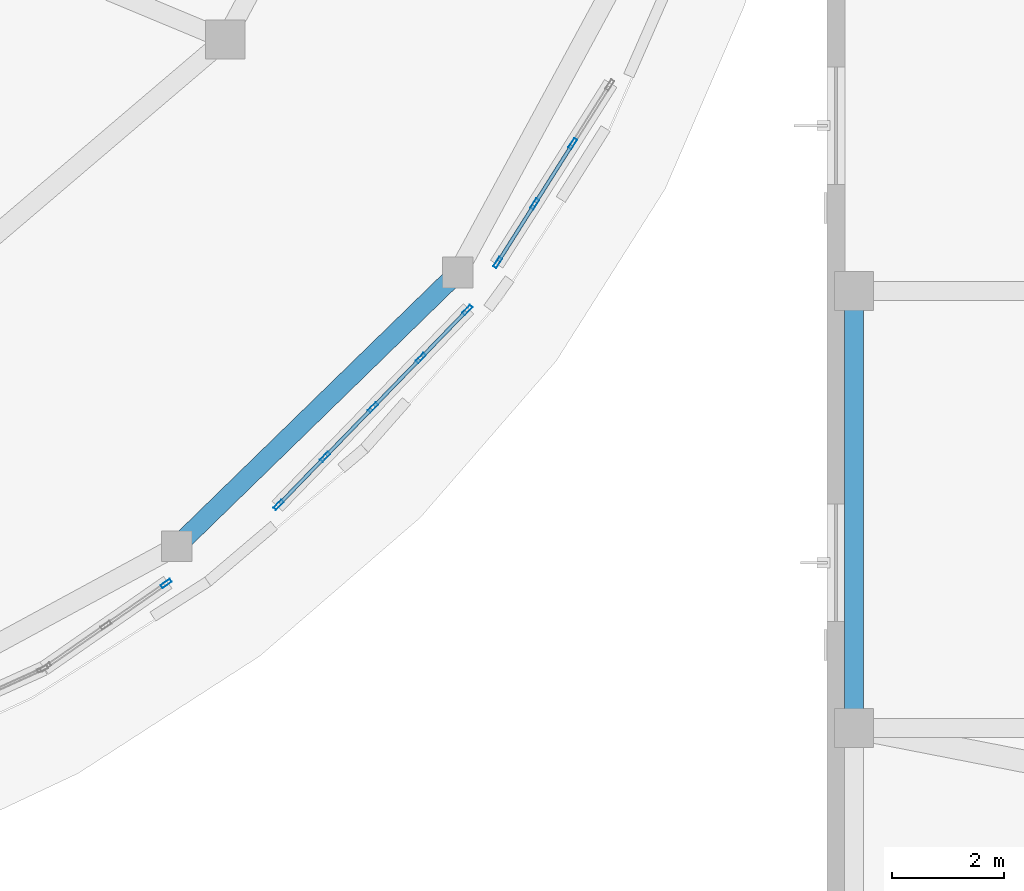
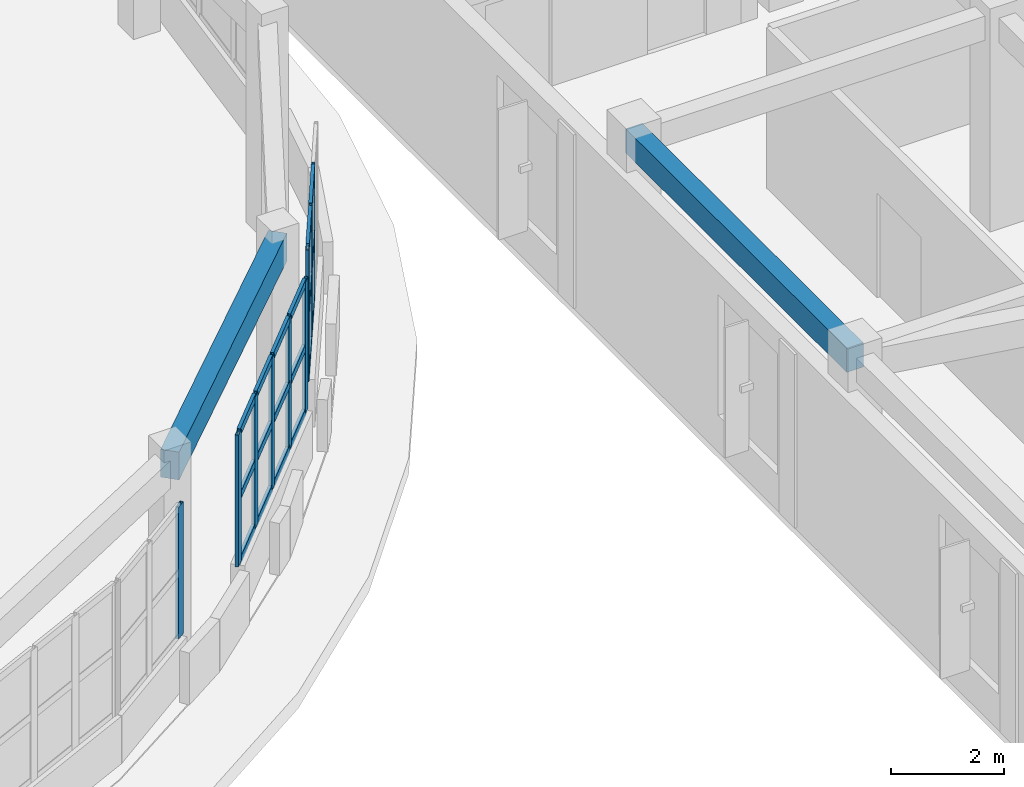
# One storey, part 48 of 98: 27 members, 2 beams, 3 elements without a shape of their own.
"""IFC4 building model written with IfcOpenShell, lengths in metres."""

import ifcopenshell
import ifcopenshell.guid

model = None  # the IFC model being written
_history = None  # IfcOwnerHistory: only IFC2X3 demands one
_inside = {}  # id of a spatial element -> (the spatial element, [elements in it])
_under = {}  # id of a project, library or spatial element -> (it, [spatial elements below it])
_declared = {}  # id of a project -> (the project, [libraries it declares])
_typed = {}  # id of a type object -> (the type object, [elements of that type])
_made_of = {}  # id of a material, layer set ... -> (it, [elements and type objects made of it])


def new_model(schema):
    """Start an empty IFC model of exactly this schema.

    Asked for "IFC4X3", IfcOpenShell would pick the latest addendum, in which some entities
    have other attributes; the version numbers below select the first issue.
    IFC2X3 requires an IfcOwnerHistory on every rooted entity: one is made here for all.
    """
    global model, _history
    if schema == "IFC4X3":
        model = ifcopenshell.file(schema_version=(4, 3, 0, 0))
    else:
        model = ifcopenshell.file(schema=schema)
    _inside.clear()
    _under.clear()
    _declared.clear()
    _typed.clear()
    _made_of.clear()
    _history = None
    if model.schema == "IFC2X3":
        org = make("IfcOrganization", Name="unknown")
        user = make(
            "IfcPersonAndOrganization",
            ThePerson=make("IfcPerson", FamilyName="unknown"),
            TheOrganization=org,
        )
        app = make(
            "IfcApplication",
            ApplicationDeveloper=org,
            Version="unknown",
            ApplicationFullName="unknown",
            ApplicationIdentifier="unknown",
        )
        _history = make(
            "IfcOwnerHistory",
            OwningUser=user,
            OwningApplication=app,
            ChangeAction="ADDED",
            CreationDate=0,
        )
    return model


def make(cls, **values):
    """One entity of the class cls with the attributes given. An attribute that is None is left unset."""
    return model.create_entity(
        cls, **{name: value for name, value in values.items() if value is not None}
    )


def rooted(cls, **values):
    """An entity with a GlobalId (a new one), such as an element, a storey or a relation."""
    return make(cls, GlobalId=ifcopenshell.guid.new(), OwnerHistory=_history, **values)


def si_unit(unit_type, name, prefix=None):
    """IfcSIUnit, for example si_unit("LENGTHUNIT", "METRE", prefix="MILLI")."""
    return make("IfcSIUnit", UnitType=unit_type, Prefix=prefix, Name=name)


def assignment(units):
    """IfcUnitAssignment: the units of a project."""
    return None if units is None else make("IfcUnitAssignment", Units=units)


def point(xyz):
    """IfcCartesianPoint."""
    return None if xyz is None else make("IfcCartesianPoint", Coordinates=xyz)


def direction(xyz):
    """IfcDirection."""
    return None if xyz is None else make("IfcDirection", DirectionRatios=xyz)


def frame(location, z_axis=None, x_axis=None):
    """IfcAxis2Placement3D, a coordinate frame: its origin and axes. An axis left out is left unset."""
    return make(
        "IfcAxis2Placement3D",
        Location=point(location),
        Axis=direction(z_axis),
        RefDirection=direction(x_axis),
    )


def frame_2d(location, x_axis=None):
    """IfcAxis2Placement2D, a coordinate frame in the plane: its origin and x axis."""
    return make(
        "IfcAxis2Placement2D", Location=point(location), RefDirection=direction(x_axis)
    )


def origin():
    """The frame at (0, 0, 0) with its axes left unset."""
    return frame((0.0, 0.0, 0.0))


def origin_2d():
    """The frame at (0, 0) in the plane with its x axis left unset."""
    return frame_2d((0.0, 0.0))


def place(relative_to, where):
    """IfcLocalPlacement: puts the frame where relative to a parent placement (None: the world)."""
    return make(
        "IfcLocalPlacement", PlacementRelTo=relative_to, RelativePlacement=where
    )


def context(
    kind, dimensions, precision=None, world=None, true_north=None, identifier=None
):
    """IfcGeometricRepresentationContext, for example the 3D "Model" context."""
    return make(
        "IfcGeometricRepresentationContext",
        ContextIdentifier=identifier,
        ContextType=kind,
        CoordinateSpaceDimension=dimensions,
        Precision=precision,
        WorldCoordinateSystem=world,
        TrueNorth=true_north,
    )


def subcontext(parent, identifier, kind, view, scale=None):
    """IfcGeometricRepresentationSubContext, for example "Body" below "Model"."""
    return make(
        "IfcGeometricRepresentationSubContext",
        ContextIdentifier=identifier,
        ContextType=kind,
        ParentContext=parent,
        TargetScale=scale,
        TargetView=view,
    )


def project(units=None, contexts=None):
    """IfcProject with its units and contexts."""
    return rooted(
        "IfcProject",
        Name="project",
        RepresentationContexts=contexts,
        UnitsInContext=assignment(units),
    )


def spatial(cls, under=None, at=None, **own):
    """A site, building, storey or space (cls), placed at a placement, below another one or the project."""
    s = rooted(cls, ObjectPlacement=at, **own)
    if under is not None:
        _under.setdefault(under.id(), (under, []))[1].append(s)
    return s


def profile(cls, at=None, kind="AREA", **sizes):
    """A parametric profile (cls). Its sizes go by their IFC names, for example OverallWidth=200.0."""
    return make(cls, ProfileType=kind, Position=at, **sizes)


def rectangle(**sizes):
    """IfcRectangleProfileDef."""
    return profile("IfcRectangleProfileDef", **sizes)


def hollow_rectangle(**sizes):
    """IfcRectangleHollowProfileDef."""
    return profile("IfcRectangleHollowProfileDef", **sizes)


def extrude(swept, where, along, depth):
    """IfcExtrudedAreaSolid: the profile swept, set in the frame where, extruded along a direction by depth."""
    return make(
        "IfcExtrudedAreaSolid",
        SweptArea=swept,
        Position=where,
        ExtrudedDirection=direction(along),
        Depth=depth,
    )


def shape(context_of_items, identifier, shape_type, items):
    """IfcShapeRepresentation: the items that make up one representation, for example the "Body"."""
    return make(
        "IfcShapeRepresentation",
        ContextOfItems=context_of_items,
        RepresentationIdentifier=identifier,
        RepresentationType=shape_type,
        Items=items,
    )


def material(Name=None, Category=None):
    """IfcMaterial."""
    return make("IfcMaterial", Name=Name, Category=Category)


def layer(
    of_material, thickness, ventilated=None, Name=None, Category=None, Priority=None
):
    """IfcMaterialLayer: one layer of a wall or slab, of a material (None: an air gap)."""
    return make(
        "IfcMaterialLayer",
        Material=of_material,
        LayerThickness=thickness,
        IsVentilated=ventilated,
        Name=Name,
        Category=Category,
        Priority=Priority,
    )


def layer_set(layers, Name=None):
    """IfcMaterialLayerSet."""
    return make("IfcMaterialLayerSet", MaterialLayers=layers, LayerSetName=Name)


def material_profile(
    of_material, cross_section, Name=None, Category=None, Priority=None
):
    """IfcMaterialProfile: a cross section and its material."""
    return make(
        "IfcMaterialProfile",
        Name=Name,
        Material=of_material,
        Profile=cross_section,
        Priority=Priority,
        Category=Category,
    )


def profile_set(profiles, Name=None, composite=None):
    """IfcMaterialProfileSet."""
    return make(
        "IfcMaterialProfileSet",
        Name=Name,
        MaterialProfiles=profiles,
        CompositeProfile=composite,
    )


def made_of(thing, what):
    """Note that an element or type object is made of a material, layer set ...; save() writes the relation."""
    if what is not None:
        _made_of.setdefault(what.id(), (what, []))[1].append(thing)
    return thing


def type_object(cls, material=None, **own):
    """A type object (cls), such as IfcWallType, which elements share."""
    return made_of(rooted(cls, **own), material)


def element(
    cls,
    number,
    at=None,
    inside=None,
    cuts=None,
    type_object=None,
    material=None,
    context=None,
    identifier="Body",
    shape_type=None,
    held_by="IfcProductDefinitionShape",
    body=None,
    shapes=None,
    **own,
):
    """One element of the class cls, such as IfcWall. Its Tag is "e" and its number.

    at: its placement. inside: the storey or other place that contains it. cuts: it is an
    opening in that element (IfcRelVoidsElement). A single representation is given by context,
    identifier, shape_type and body (its items); several are given by shapes. held_by: the class
    of the entity that holds the representations. save() writes the other relations.
    """
    e = rooted(cls, Tag="e%d" % number, ObjectPlacement=at, **own)
    if body is not None:
        shapes = [shape(context, identifier, shape_type, body)]
    if shapes is not None:
        e.Representation = make(held_by, Representations=shapes)
    if inside is not None:
        _inside.setdefault(inside.id(), (inside, []))[1].append(e)
    if cuts is not None:
        rooted(
            "IfcRelVoidsElement", RelatingBuildingElement=cuts, RelatedOpeningElement=e
        )
    if type_object is not None:
        _typed.setdefault(type_object.id(), (type_object, []))[1].append(e)
    return made_of(e, material)


def aggregate(whole, parts):
    """IfcRelAggregates: a whole, such as a stair, and the parts it consists of."""
    return rooted("IfcRelAggregates", RelatingObject=whole, RelatedObjects=parts)


def save(model, path):
    """Write the relations noted so far, then the file.

    IfcRelAggregates (storeys below a building ...), IfcRelContainedInSpatialStructure (elements
    in a storey), IfcRelDefinesByType, IfcRelAssociatesMaterial and IfcRelDeclares: one each for
    every whole, place, type object, material and project.
    """
    for whole, parts in _under.values():
        aggregate(whole, parts)
    for where, things in _inside.values():
        rooted(
            "IfcRelContainedInSpatialStructure",
            RelatedElements=things,
            RelatingStructure=where,
        )
    for kind, things in _typed.values():
        rooted("IfcRelDefinesByType", RelatedObjects=things, RelatingType=kind)
    for what, things in _made_of.values():
        rooted("IfcRelAssociatesMaterial", RelatedObjects=things, RelatingMaterial=what)
    for by, libraries in _declared.values():
        rooted("IfcRelDeclares", RelatingContext=by, RelatedDefinitions=libraries)
    model.write(path)


model = new_model("IFC4")

# Units and contexts
model_context = context("Model", 3, precision=1e-05, world=origin(), true_north=direction((0.0, 1.0)))
body_context = subcontext(model_context, "Body", "Model", "MODEL_VIEW")
ifc_project = project(units=[si_unit("LENGTHUNIT", "METRE"), si_unit("AREAUNIT", "SQUARE_METRE"), si_unit("VOLUMEUNIT", "CUBIC_METRE"), si_unit("PLANEANGLEUNIT", "RADIAN"), si_unit("MASSUNIT", "GRAM", prefix="KILO")], contexts=[model_context])

# Site, building, storey
site_placement = place(None, origin())
site = spatial("IfcSite", under=ifc_project, at=site_placement, CompositionType="ELEMENT")
building_placement = place(site_placement, origin())
building = spatial("IfcBuilding", under=site, at=building_placement, Name="Pelvatis Terrace Science Centre", CompositionType="ELEMENT")
storey_placement = place(building_placement, frame((0.0, 0.0, 5.39990234375)))
storey = spatial("IfcBuildingStorey", under=building, at=storey_placement, Name="L01", CompositionType="ELEMENT", Elevation=5.39990234375)

# Beam
ifc_material_1 = material(Name="Concrete C35/45", Category="concrete")
ifc_material_profile_1 = material_profile(ifc_material_1, rectangle(XDim=0.340087890625, YDim=0.52001953125, at=origin_2d()), Name="RC-BM 340x520")
ifc_profile_set_1 = profile_set([ifc_material_profile_1], Name="Concrete C35/45")
beam_type_1 = type_object("IfcBeamType", Name="BM-RC-340x520", PredefinedType="BEAM", material=ifc_profile_set_1)
beam_1_placement = place(storey_placement, frame((140.800048828125, 62.39990234375, 4.280029296875), z_axis=(0.0, 1.0, 0.0), x_axis=(-1.0, 0.0, 0.0)))
element("IfcBeam", 1, at=beam_1_placement, inside=storey, type_object=beam_type_1, Name="Beam BM-L01-2806", PredefinedType="BEAM", context=body_context, shape_type="SweptSolid", body=[
    extrude(rectangle(XDim=0.340087890625, YDim=0.52001953125, at=origin_2d()), origin(), (0.0, 0.0, 1.0), 7.800048828125),
])

# Curtain wall, member
ifc_material_2 = material(Name="Bronze-anodised aluminium and laminated glass", Category="aluminium")
ifc_layer = layer(ifc_material_2, 0.199951171875)
ifc_layer_set = layer_set([ifc_layer], Name="Bronze-anodised aluminium and laminated glass")
curtain_wall_type = type_object("IfcCurtainWallType", Name="CW-RIBBON-B", PredefinedType="NOTDEFINED", material=ifc_layer_set)
curtain_wall_1_placement = place(storey_placement, origin())
curtain_wall_1 = element("IfcCurtainWall", 2, at=curtain_wall_1_placement, inside=storey, type_object=curtain_wall_type, Name="Ribbon curtain wall CW-150 (L01)", PredefinedType="NOTDEFINED")
ifc_material_3 = material(Name="Bronze-anodised aluminium 6063-T6", Category="aluminium")
ifc_material_profile_2 = material_profile(ifc_material_3, hollow_rectangle(XDim=0.06494140625, YDim=0.199951171875, WallThickness=0.00439453125, at=origin_2d()), Name="ALU-MUL 65x200")
ifc_profile_set_2 = profile_set([ifc_material_profile_2], Name="Bronze-anodised aluminium 6063-T6")
member_type_1 = type_object("IfcMemberType", Name="CWM-65x200", PredefinedType="MULLION", material=ifc_profile_set_2)
member_1_placement = place(storey_placement, frame((128.52783203125, 64.98193359375, 1.02001953125), z_axis=(0.0, 0.0, 1.0), x_axis=(-0.570774124672, 0.821107117619, 0.0)))
member_1 = element("IfcMember", 3, at=member_1_placement, type_object=member_type_1, Name="CW-150 mullion 3", PredefinedType="MULLION", context=body_context, shape_type="SweptSolid", body=[
    extrude(hollow_rectangle(XDim=0.06494140625, YDim=0.199951171875, WallThickness=0.00439453125, at=origin_2d()), origin(), (0.0, 0.0, 1.0), 2.840087890625),
])
aggregate(curtain_wall_1, [member_1])

# Curtain wall, members
curtain_wall_2_placement = place(storey_placement, origin())
curtain_wall_2 = element("IfcCurtainWall", 4, at=curtain_wall_2_placement, inside=storey, type_object=curtain_wall_type, Name="Ribbon curtain wall CW-151 (L01)", PredefinedType="NOTDEFINED")
member_2_placement = place(storey_placement, frame((130.53271484375, 66.383056640625, 1.02001953125), z_axis=(0.0, 0.0, 1.0), x_axis=(-0.718179097979, 0.69585830686, 0.0)))
member_2 = element("IfcMember", 5, at=member_2_placement, type_object=member_type_1, Name="CW-151 mullion 1", PredefinedType="MULLION", context=body_context, shape_type="SweptSolid", body=[
    extrude(hollow_rectangle(XDim=0.06494140625, YDim=0.199951171875, WallThickness=0.00439453125, at=origin_2d()), origin(), (0.0, 0.0, 1.0), 2.840087890625),
])
member_3_placement = place(storey_placement, frame((131.363525390625, 67.240478515625, 1.02001953125), z_axis=(0.0, 0.0, 1.0), x_axis=(-0.718179097979, 0.69585830686, 0.0)))
member_3 = element("IfcMember", 6, at=member_3_placement, type_object=member_type_1, Name="CW-151 mullion 2", PredefinedType="MULLION", context=body_context, shape_type="SweptSolid", body=[
    extrude(hollow_rectangle(XDim=0.06494140625, YDim=0.199951171875, WallThickness=0.00439453125, at=origin_2d()), origin(), (0.0, 0.0, 1.0), 2.840087890625),
])
member_4_placement = place(storey_placement, frame((132.217041015625, 68.121337890625, 1.02001953125), z_axis=(0.0, 0.0, 1.0), x_axis=(-0.718179097979, 0.69585830686, 0.0)))
member_4 = element("IfcMember", 7, at=member_4_placement, type_object=member_type_1, Name="CW-151 mullion 3", PredefinedType="MULLION", context=body_context, shape_type="SweptSolid", body=[
    extrude(hollow_rectangle(XDim=0.06494140625, YDim=0.199951171875, WallThickness=0.00439453125, at=origin_2d()), origin(), (0.0, 0.0, 1.0), 2.840087890625),
])
member_5_placement = place(storey_placement, frame((133.0703125, 69.002197265625, 1.02001953125), z_axis=(0.0, 0.0, 1.0), x_axis=(-0.718179097979, 0.69585830686, 0.0)))
member_5 = element("IfcMember", 8, at=member_5_placement, type_object=member_type_1, Name="CW-151 mullion 4", PredefinedType="MULLION", context=body_context, shape_type="SweptSolid", body=[
    extrude(hollow_rectangle(XDim=0.06494140625, YDim=0.199951171875, WallThickness=0.00439453125, at=origin_2d()), origin(), (0.0, 0.0, 1.0), 2.840087890625),
])
member_6_placement = place(storey_placement, frame((133.901123046875, 69.859619140625, 1.02001953125), z_axis=(0.0, 0.0, 1.0), x_axis=(-0.718179097979, 0.69585830686, 0.0)))
member_6 = element("IfcMember", 9, at=member_6_placement, type_object=member_type_1, Name="CW-151 mullion 5", PredefinedType="MULLION", context=body_context, shape_type="SweptSolid", body=[
    extrude(hollow_rectangle(XDim=0.06494140625, YDim=0.199951171875, WallThickness=0.00439453125, at=origin_2d()), origin(), (0.0, 0.0, 1.0), 2.840087890625),
])

curtain_wall_3_placement = place(storey_placement, origin())
curtain_wall_3 = element("IfcCurtainWall", 10, at=curtain_wall_3_placement, inside=storey, type_object=curtain_wall_type, Name="Ribbon curtain wall CW-152 (L01)", PredefinedType="NOTDEFINED")
member_7_placement = place(storey_placement, frame((134.443603515625, 70.706787109375, 1.02001953125), z_axis=(0.0, 0.0, 1.0), x_axis=(-0.84567026779, 0.53370572245, 0.0)))
member_7 = element("IfcMember", 11, at=member_7_placement, type_object=member_type_1, Name="CW-152 mullion 1", PredefinedType="MULLION", context=body_context, shape_type="SweptSolid", body=[
    extrude(hollow_rectangle(XDim=0.06494140625, YDim=0.199951171875, WallThickness=0.00439453125, at=origin_2d()), origin(), (0.0, 0.0, 1.0), 2.840087890625),
])
member_8_placement = place(storey_placement, frame((135.104248046875, 71.753662109375, 1.02001953125), z_axis=(0.0, 0.0, 1.0), x_axis=(-0.84567026779, 0.53370572245, 0.0)))
member_8 = element("IfcMember", 12, at=member_8_placement, type_object=member_type_1, Name="CW-152 mullion 2", PredefinedType="MULLION", context=body_context, shape_type="SweptSolid", body=[
    extrude(hollow_rectangle(XDim=0.06494140625, YDim=0.199951171875, WallThickness=0.00439453125, at=origin_2d()), origin(), (0.0, 0.0, 1.0), 2.840087890625),
])
member_9_placement = place(storey_placement, frame((135.782470703125, 72.828125, 1.02001953125), z_axis=(0.0, 0.0, 1.0), x_axis=(-0.84567026779, 0.53370572245, 0.0)))
member_9 = element("IfcMember", 13, at=member_9_placement, type_object=member_type_1, Name="CW-152 mullion 3", PredefinedType="MULLION", context=body_context, shape_type="SweptSolid", body=[
    extrude(hollow_rectangle(XDim=0.06494140625, YDim=0.199951171875, WallThickness=0.00439453125, at=origin_2d()), origin(), (0.0, 0.0, 1.0), 2.840087890625),
])

# Member
ifc_material_4 = material(Name="Bronze-anodised aluminium 6063-T6", Category="aluminium")
ifc_material_profile_3 = material_profile(ifc_material_4, hollow_rectangle(XDim=0.06494140625, YDim=0.159912109375, WallThickness=0.00390625, at=origin_2d()), Name="ALU-TRN 65x160")
ifc_profile_set_3 = profile_set([ifc_material_profile_3], Name="Bronze-anodised aluminium 6063-T6")
member_type_2 = type_object("IfcMemberType", Name="CWT-65x160", PredefinedType="USERDEFINED", material=ifc_profile_set_3)
member_10_placement = place(storey_placement, frame((130.555419921875, 66.406494140625, 1.052490234375), z_axis=(0.695770809086, 0.718263866016, 0.0), x_axis=(-0.718263866016, 0.695770809086, 0.0)))
member_10 = element("IfcMember", 14, at=member_10_placement, type_object=member_type_2, Name="CW-151 transom 1.1", ObjectType="TRANSOM", PredefinedType="USERDEFINED", context=body_context, shape_type="SweptSolid", body=[
    extrude(hollow_rectangle(XDim=0.06494140625, YDim=0.159912109375, WallThickness=0.00390625, at=origin_2d()), origin(), (0.0, 0.0, 1.0), 1.12890625),
])

member_11_placement = place(storey_placement, frame((130.555419921875, 66.406494140625, 2.440185546875), z_axis=(0.695770809086, 0.718263866016, 0.0), x_axis=(-0.718263866016, 0.695770809086, 0.0)))
member_11 = element("IfcMember", 15, at=member_11_placement, type_object=member_type_2, Name="CW-151 transom 1.2", ObjectType="TRANSOM", PredefinedType="USERDEFINED", context=body_context, shape_type="SweptSolid", body=[
    extrude(hollow_rectangle(XDim=0.06494140625, YDim=0.159912109375, WallThickness=0.00390625, at=origin_2d()), origin(), (0.0, 0.0, 1.0), 1.12890625),
])

member_12_placement = place(storey_placement, frame((130.555419921875, 66.406494140625, 3.82763671875), z_axis=(0.695770809086, 0.718263866016, 0.0), x_axis=(-0.718263866016, 0.695770809086, 0.0)))
member_12 = element("IfcMember", 16, at=member_12_placement, type_object=member_type_2, Name="CW-151 transom 1.3", ObjectType="TRANSOM", PredefinedType="USERDEFINED", context=body_context, shape_type="SweptSolid", body=[
    extrude(hollow_rectangle(XDim=0.06494140625, YDim=0.159912109375, WallThickness=0.00390625, at=origin_2d()), origin(), (0.0, 0.0, 1.0), 1.12890625),
])

member_13_placement = place(storey_placement, frame((131.38623046875, 67.263916015625, 1.052490234375), z_axis=(0.695771494822, 0.718263201754, 0.0), x_axis=(-0.718263201754, 0.695771494822, 0.0)))
member_13 = element("IfcMember", 17, at=member_13_placement, type_object=member_type_2, Name="CW-151 transom 2.1", ObjectType="TRANSOM", PredefinedType="USERDEFINED", context=body_context, shape_type="SweptSolid", body=[
    extrude(hollow_rectangle(XDim=0.06494140625, YDim=0.159912109375, WallThickness=0.00390625, at=origin_2d()), origin(), (0.0, 0.0, 1.0), 1.161376953125),
])

member_14_placement = place(storey_placement, frame((131.38623046875, 67.263916015625, 2.440185546875), z_axis=(0.695771494822, 0.718263201754, 0.0), x_axis=(-0.718263201754, 0.695771494822, 0.0)))
member_14 = element("IfcMember", 18, at=member_14_placement, type_object=member_type_2, Name="CW-151 transom 2.2", ObjectType="TRANSOM", PredefinedType="USERDEFINED", context=body_context, shape_type="SweptSolid", body=[
    extrude(hollow_rectangle(XDim=0.06494140625, YDim=0.159912109375, WallThickness=0.00390625, at=origin_2d()), origin(), (0.0, 0.0, 1.0), 1.161376953125),
])

member_15_placement = place(storey_placement, frame((131.38623046875, 67.263916015625, 3.82763671875), z_axis=(0.695771494822, 0.718263201754, 0.0), x_axis=(-0.718263201754, 0.695771494822, 0.0)))
member_15 = element("IfcMember", 19, at=member_15_placement, type_object=member_type_2, Name="CW-151 transom 2.3", ObjectType="TRANSOM", PredefinedType="USERDEFINED", context=body_context, shape_type="SweptSolid", body=[
    extrude(hollow_rectangle(XDim=0.06494140625, YDim=0.159912109375, WallThickness=0.00390625, at=origin_2d()), origin(), (0.0, 0.0, 1.0), 1.161376953125),
])

member_16_placement = place(storey_placement, frame((132.239501953125, 68.144775390625, 1.052490234375), z_axis=(0.695984957438, 0.718056362008, 0.0), x_axis=(-0.718056362008, 0.695984957438, 0.0)))
member_16 = element("IfcMember", 20, at=member_16_placement, type_object=member_type_2, Name="CW-151 transom 3.1", ObjectType="TRANSOM", PredefinedType="USERDEFINED", context=body_context, shape_type="SweptSolid", body=[
    extrude(hollow_rectangle(XDim=0.06494140625, YDim=0.159912109375, WallThickness=0.00390625, at=origin_2d()), origin(), (0.0, 0.0, 1.0), 1.161376953125),
])

member_17_placement = place(storey_placement, frame((132.239501953125, 68.144775390625, 2.440185546875), z_axis=(0.695984957438, 0.718056362008, 0.0), x_axis=(-0.718056362008, 0.695984957438, 0.0)))
member_17 = element("IfcMember", 21, at=member_17_placement, type_object=member_type_2, Name="CW-151 transom 3.2", ObjectType="TRANSOM", PredefinedType="USERDEFINED", context=body_context, shape_type="SweptSolid", body=[
    extrude(hollow_rectangle(XDim=0.06494140625, YDim=0.159912109375, WallThickness=0.00390625, at=origin_2d()), origin(), (0.0, 0.0, 1.0), 1.161376953125),
])

member_18_placement = place(storey_placement, frame((132.239501953125, 68.144775390625, 3.82763671875), z_axis=(0.695984957438, 0.718056362008, 0.0), x_axis=(-0.718056362008, 0.695984957438, 0.0)))
member_18 = element("IfcMember", 22, at=member_18_placement, type_object=member_type_2, Name="CW-151 transom 3.3", ObjectType="TRANSOM", PredefinedType="USERDEFINED", context=body_context, shape_type="SweptSolid", body=[
    extrude(hollow_rectangle(XDim=0.06494140625, YDim=0.159912109375, WallThickness=0.00390625, at=origin_2d()), origin(), (0.0, 0.0, 1.0), 1.161376953125),
])

member_19_placement = place(storey_placement, frame((133.093017578125, 69.025634765625, 1.052490234375), z_axis=(0.695882363087, 0.718155788631, 0.0), x_axis=(-0.718155788631, 0.695882363087, 0.0)))
member_19 = element("IfcMember", 23, at=member_19_placement, type_object=member_type_2, Name="CW-151 transom 4.1", ObjectType="TRANSOM", PredefinedType="USERDEFINED", context=body_context, shape_type="SweptSolid", body=[
    extrude(hollow_rectangle(XDim=0.06494140625, YDim=0.159912109375, WallThickness=0.00390625, at=origin_2d()), origin(), (0.0, 0.0, 1.0), 1.12890625),
])

member_20_placement = place(storey_placement, frame((133.093017578125, 69.025634765625, 2.440185546875), z_axis=(0.695882363087, 0.718155788631, 0.0), x_axis=(-0.718155788631, 0.695882363087, 0.0)))
member_20 = element("IfcMember", 24, at=member_20_placement, type_object=member_type_2, Name="CW-151 transom 4.2", ObjectType="TRANSOM", PredefinedType="USERDEFINED", context=body_context, shape_type="SweptSolid", body=[
    extrude(hollow_rectangle(XDim=0.06494140625, YDim=0.159912109375, WallThickness=0.00390625, at=origin_2d()), origin(), (0.0, 0.0, 1.0), 1.12890625),
])

member_21_placement = place(storey_placement, frame((133.093017578125, 69.025634765625, 3.82763671875), z_axis=(0.695882363087, 0.718155788631, 0.0), x_axis=(-0.718155788631, 0.695882363087, 0.0)))
member_21 = element("IfcMember", 25, at=member_21_placement, type_object=member_type_2, Name="CW-151 transom 4.3", ObjectType="TRANSOM", PredefinedType="USERDEFINED", context=body_context, shape_type="SweptSolid", body=[
    extrude(hollow_rectangle(XDim=0.06494140625, YDim=0.159912109375, WallThickness=0.00390625, at=origin_2d()), origin(), (0.0, 0.0, 1.0), 1.12890625),
])

aggregate(curtain_wall_2, [member_2, member_3, member_4, member_5, member_6, member_10, member_11, member_12, member_13, member_14, member_15, member_16, member_17, member_18, member_19, member_20, member_21])

member_22_placement = place(storey_placement, frame((134.4609375, 70.734130859375, 1.052490234375), z_axis=(0.533679709208, 0.845686684287, 0.0), x_axis=(-0.845686684287, 0.533679709208, 0.0)))
member_22 = element("IfcMember", 26, at=member_22_placement, type_object=member_type_2, Name="CW-152 transom 1.1", ObjectType="TRANSOM", PredefinedType="USERDEFINED", context=body_context, shape_type="SweptSolid", body=[
    extrude(hollow_rectangle(XDim=0.06494140625, YDim=0.159912109375, WallThickness=0.00390625, at=origin_2d()), origin(), (0.0, 0.0, 1.0), 1.1728515625),
])

member_23_placement = place(storey_placement, frame((134.4609375, 70.734130859375, 2.440185546875), z_axis=(0.533679709208, 0.845686684287, 0.0), x_axis=(-0.845686684287, 0.533679709208, 0.0)))
member_23 = element("IfcMember", 27, at=member_23_placement, type_object=member_type_2, Name="CW-152 transom 1.2", ObjectType="TRANSOM", PredefinedType="USERDEFINED", context=body_context, shape_type="SweptSolid", body=[
    extrude(hollow_rectangle(XDim=0.06494140625, YDim=0.159912109375, WallThickness=0.00390625, at=origin_2d()), origin(), (0.0, 0.0, 1.0), 1.1728515625),
])

member_24_placement = place(storey_placement, frame((134.4609375, 70.734130859375, 3.82763671875), z_axis=(0.533679709208, 0.845686684287, 0.0), x_axis=(-0.845686684287, 0.533679709208, 0.0)))
member_24 = element("IfcMember", 28, at=member_24_placement, type_object=member_type_2, Name="CW-152 transom 1.3", ObjectType="TRANSOM", PredefinedType="USERDEFINED", context=body_context, shape_type="SweptSolid", body=[
    extrude(hollow_rectangle(XDim=0.06494140625, YDim=0.159912109375, WallThickness=0.00390625, at=origin_2d()), origin(), (0.0, 0.0, 1.0), 1.1728515625),
])

member_25_placement = place(storey_placement, frame((135.12158203125, 71.78125, 1.052490234375), z_axis=(0.533871066333, 0.845565896032, 0.0), x_axis=(-0.845565896032, 0.533871066333, 0.0)))
member_25 = element("IfcMember", 29, at=member_25_placement, type_object=member_type_2, Name="CW-152 transom 2.1", ObjectType="TRANSOM", PredefinedType="USERDEFINED", context=body_context, shape_type="SweptSolid", body=[
    extrude(hollow_rectangle(XDim=0.06494140625, YDim=0.159912109375, WallThickness=0.00390625, at=origin_2d()), origin(), (0.0, 0.0, 1.0), 1.20556640625),
])

member_26_placement = place(storey_placement, frame((135.12158203125, 71.78125, 2.440185546875), z_axis=(0.533871066333, 0.845565896032, 0.0), x_axis=(-0.845565896032, 0.533871066333, 0.0)))
member_26 = element("IfcMember", 30, at=member_26_placement, type_object=member_type_2, Name="CW-152 transom 2.2", ObjectType="TRANSOM", PredefinedType="USERDEFINED", context=body_context, shape_type="SweptSolid", body=[
    extrude(hollow_rectangle(XDim=0.06494140625, YDim=0.159912109375, WallThickness=0.00390625, at=origin_2d()), origin(), (0.0, 0.0, 1.0), 1.20556640625),
])

member_27_placement = place(storey_placement, frame((135.12158203125, 71.78125, 3.82763671875), z_axis=(0.533871066333, 0.845565896032, 0.0), x_axis=(-0.845565896032, 0.533871066333, 0.0)))
member_27 = element("IfcMember", 31, at=member_27_placement, type_object=member_type_2, Name="CW-152 transom 2.3", ObjectType="TRANSOM", PredefinedType="USERDEFINED", context=body_context, shape_type="SweptSolid", body=[
    extrude(hollow_rectangle(XDim=0.06494140625, YDim=0.159912109375, WallThickness=0.00390625, at=origin_2d()), origin(), (0.0, 0.0, 1.0), 1.20556640625),
])

aggregate(curtain_wall_3, [member_7, member_8, member_9, member_22, member_23, member_24, member_25, member_26, member_27])

# Beam
ifc_material_5 = material(Name="Concrete C35/45", Category="concrete")
ifc_material_profile_4 = material_profile(ifc_material_5, rectangle(XDim=0.340087890625, YDim=0.60009765625, at=origin_2d()), Name="RC-SPN 340x600")
ifc_profile_set_4 = profile_set([ifc_material_profile_4], Name="Concrete C35/45")
beam_type_2 = type_object("IfcBeamType", Name="SPN-RC-340x600", PredefinedType="SPANDREL", material=ifc_profile_set_4)
beam_2_placement = place(storey_placement, frame((128.7158203125, 65.64453125, 4.239990234375), z_axis=(0.716393642318, 0.697696315918, 0.0), x_axis=(-0.697696315918, 0.716393642318, 0.0)))
element("IfcBeam", 32, at=beam_2_placement, inside=storey, type_object=beam_type_2, Name="Spandrel SP-L01-2662", PredefinedType="SPANDREL", context=body_context, shape_type="SweptSolid", body=[
    extrude(rectangle(XDim=0.340087890625, YDim=0.60009765625, at=origin_2d()), origin(), (0.0, 0.0, 1.0), 6.998779296875),
])

save(model, "model.ifc")
